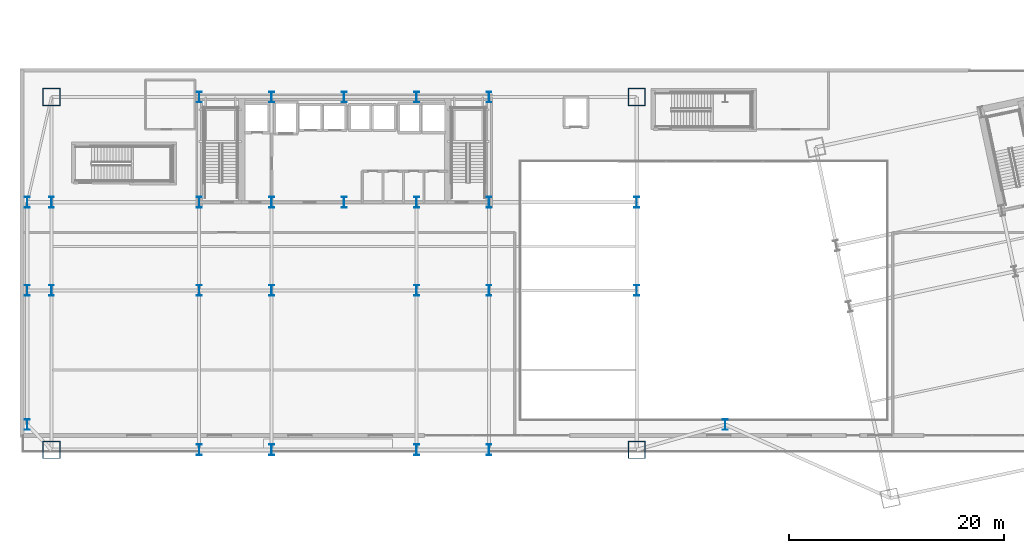
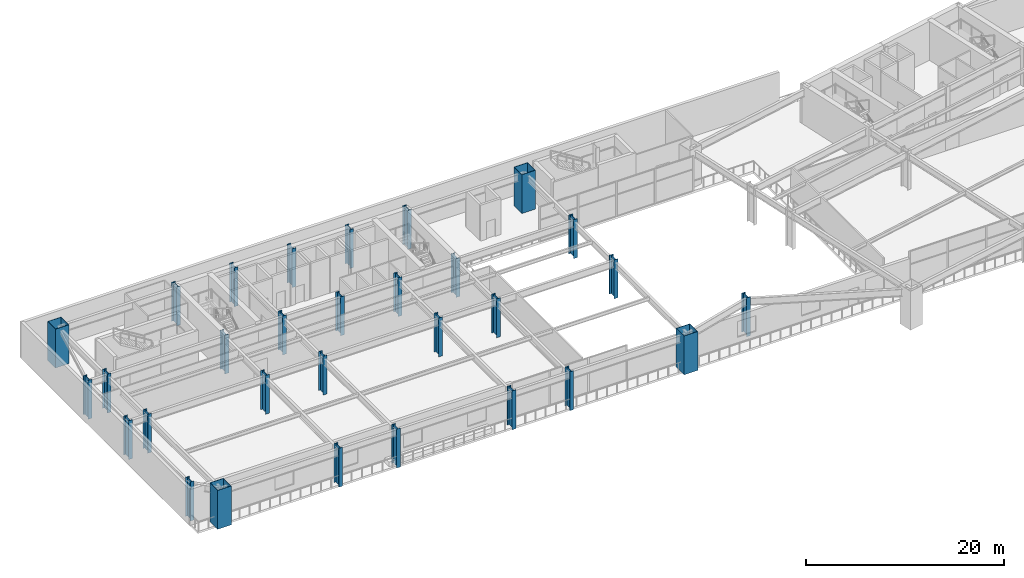
# One storey, part 1 of 35: 30 columns.
"""IFC4 building model written with IfcOpenShell, lengths in metres."""

from ifc_helpers import new_model, si_unit, direction, frame, origin, origin_2d, place, context, subcontext, project, spatial, hollow_rectangle, i_section, extrude, material, material_profile, profile_set, type_object, element, save


model = new_model("IFC4")

# Units and contexts
model_context = context("Model", 3, precision=1e-05, world=origin(), true_north=direction((0.0, 1.0)))
body_context = subcontext(model_context, "Body", "Model", "MODEL_VIEW")
ifc_project = project(units=[si_unit("LENGTHUNIT", "METRE"), si_unit("AREAUNIT", "SQUARE_METRE"), si_unit("VOLUMEUNIT", "CUBIC_METRE"), si_unit("PLANEANGLEUNIT", "RADIAN"), si_unit("MASSUNIT", "GRAM", prefix="KILO")], contexts=[model_context])

# Site, building, storey
site_placement = place(None, origin())
site = spatial("IfcSite", under=ifc_project, at=site_placement, CompositionType="ELEMENT")
building_placement = place(site_placement, origin())
building = spatial("IfcBuilding", under=site, at=building_placement, Name="Haevon Station Towers", CompositionType="ELEMENT")
storey_placement = place(building_placement, frame((0.0, 0.0, 20.39990234375)))
storey = spatial("IfcBuildingStorey", under=building, at=storey_placement, Name="L04", CompositionType="ELEMENT", Elevation=20.39990234375)

# Columns
ifc_material = material(Name="Steel S460", Category="steel")
ifc_material_profile_1 = material_profile(ifc_material, hollow_rectangle(XDim=1.60009765625, YDim=1.60009765625, WallThickness=0.0400390625, at=origin_2d()), Name="BOX-1600x1600x40")
ifc_profile_set_1 = profile_set([ifc_material_profile_1], Name="Steel S460")
column_type_1 = type_object("IfcColumnType", Name="COL-MC1", PredefinedType="COLUMN", material=ifc_profile_set_1)
for number, where, z_axis, x_axis, name in (
    (1, (10.25, 15.14990234375, 0.0), (0.0, 0.0, 1.0), (1.0, 0.0, 0.0), "COL-T1-L04-01-01"),
    (2, (10.25, 48.0, 0.0), (0.0, 0.0, 1.0), (1.0, 0.0, 0.0), "COL-T1-L04-01-04"),
    (3, (64.75, 15.14990234375, 0.0), (0.0, 0.0, 1.0), (1.0, 0.0, 0.0), "COL-T1-L04-07-01"),
    (4, (64.75, 48.0, 0.0), (0.0, 0.0, 1.0), (1.0, 0.0, 0.0), "COL-T1-L04-07-04"),
):
    element("IfcColumn", number, at=place(storey_placement, frame(where, z_axis=z_axis, x_axis=x_axis)), inside=storey, type_object=column_type_1, Name=name, PredefinedType="COLUMN", context=body_context, shape_type="SweptSolid", body=[
        extrude(hollow_rectangle(XDim=1.60009765625, YDim=1.60009765625, WallThickness=0.0400390625, at=origin_2d()), origin(), (0.0, 0.0, 1.0), 4.800048828125),
    ])
ifc_material_profile_2 = material_profile(ifc_material, i_section(OverallWidth=0.449951171875, OverallDepth=1.0, WebThickness=0.02197265625, FlangeThickness=0.0400390625, at=origin_2d()), Name="H-1000x450x22x40")
ifc_profile_set_2 = profile_set([ifc_material_profile_2], Name="Steel S460")
column_type_2 = type_object("IfcColumnType", Name="COL-POD1", PredefinedType="COLUMN", material=ifc_profile_set_2)
for number, where, z_axis, x_axis, name in (
    (5, (10.25, 30.0, 0.0), (0.0, 0.0, 1.0), (1.0, 0.0, 0.0), "COL-T1-L04-01-02"),
    (6, (10.25, 38.199951171875, 0.0), (0.0, 0.0, 1.0), (1.0, 0.0, 0.0), "COL-T1-L04-01-03"),
    (7, (24.0, 15.14990234375, 0.0), (0.0, 0.0, 1.0), (1.0, 0.0, 0.0), "COL-T1-L04-02-01"),
    (8, (24.0, 30.0, 0.0), (0.0, 0.0, 1.0), (1.0, 0.0, 0.0), "COL-T1-L04-02-02"),
    (9, (24.0, 38.199951171875, 0.0), (0.0, 0.0, 1.0), (1.0, 0.0, 0.0), "COL-T1-L04-02-03"),
    (10, (24.0, 48.0, 0.0), (0.0, 0.0, 1.0), (1.0, 0.0, 0.0), "COL-T1-L04-02-04"),
    (11, (30.75, 15.14990234375, 0.0), (0.0, 0.0, 1.0), (1.0, 0.0, 0.0), "COL-T1-L04-03-01"),
    (12, (30.75, 30.0, 0.0), (0.0, 0.0, 1.0), (1.0, 0.0, 0.0), "COL-T1-L04-03-02"),
    (13, (30.75, 38.199951171875, 0.0), (0.0, 0.0, 1.0), (1.0, 0.0, 0.0), "COL-T1-L04-03-03"),
    (14, (30.75, 48.0, 0.0), (0.0, 0.0, 1.0), (1.0, 0.0, 0.0), "COL-T1-L04-03-04"),
    (15, (37.5, 38.199951171875, 0.0), (0.0, 0.0, 1.0), (1.0, 0.0, 0.0), "COL-T1-L04-04-03"),
    (16, (37.5, 48.0, 0.0), (0.0, 0.0, 1.0), (1.0, 0.0, 0.0), "COL-T1-L04-04-04"),
    (17, (44.25, 15.14990234375, 0.0), (0.0, 0.0, 1.0), (1.0, 0.0, 0.0), "COL-T1-L04-05-01"),
    (18, (44.25, 30.0, 0.0), (0.0, 0.0, 1.0), (1.0, 0.0, 0.0), "COL-T1-L04-05-02"),
    (19, (44.25, 38.199951171875, 0.0), (0.0, 0.0, 1.0), (1.0, 0.0, 0.0), "COL-T1-L04-05-03"),
    (20, (44.25, 48.0, 0.0), (0.0, 0.0, 1.0), (1.0, 0.0, 0.0), "COL-T1-L04-05-04"),
    (21, (51.0, 15.14990234375, 0.0), (0.0, 0.0, 1.0), (1.0, 0.0, 0.0), "COL-T1-L04-06-01"),
    (22, (51.0, 30.0, 0.0), (0.0, 0.0, 1.0), (1.0, 0.0, 0.0), "COL-T1-L04-06-02"),
    (23, (51.0, 38.199951171875, 0.0), (0.0, 0.0, 1.0), (1.0, 0.0, 0.0), "COL-T1-L04-06-03"),
    (24, (51.0, 48.0, 0.0), (0.0, 0.0, 1.0), (1.0, 0.0, 0.0), "COL-T1-L04-06-04"),
    (25, (64.75, 30.0, 0.0), (0.0, 0.0, 1.0), (1.0, 0.0, 0.0), "COL-T1-L04-07-02"),
    (26, (64.75, 38.199951171875, 0.0), (0.0, 0.0, 1.0), (1.0, 0.0, 0.0), "COL-T1-L04-07-03"),
    (27, (8.0, 17.5, 0.0), (0.0, 0.0, 1.0), (1.0, 0.0, 0.0), "COL-POD-L04-W1"),
    (28, (8.0, 30.0, 0.0), (0.0, 0.0, 1.0), (1.0, 0.0, 0.0), "COL-POD-L04-W2"),
    (29, (8.0, 38.199951171875, 0.0), (0.0, 0.0, 1.0), (1.0, 0.0, 0.0), "COL-POD-L04-W3"),
    (30, (73.0, 17.5, 0.0), (0.0, 0.0, 1.0), (1.0, 0.0, 0.0), "COL-POD-L04-M1"),
):
    element("IfcColumn", number, at=place(storey_placement, frame(where, z_axis=z_axis, x_axis=x_axis)), inside=storey, type_object=column_type_2, Name=name, PredefinedType="COLUMN", context=body_context, shape_type="SweptSolid", body=[
        extrude(i_section(OverallWidth=0.449951171875, OverallDepth=1.0, WebThickness=0.02197265625, FlangeThickness=0.0400390625, at=origin_2d()), origin(), (0.0, 0.0, 1.0), 4.800048828125),
    ])

save(model, "model.ifc")
